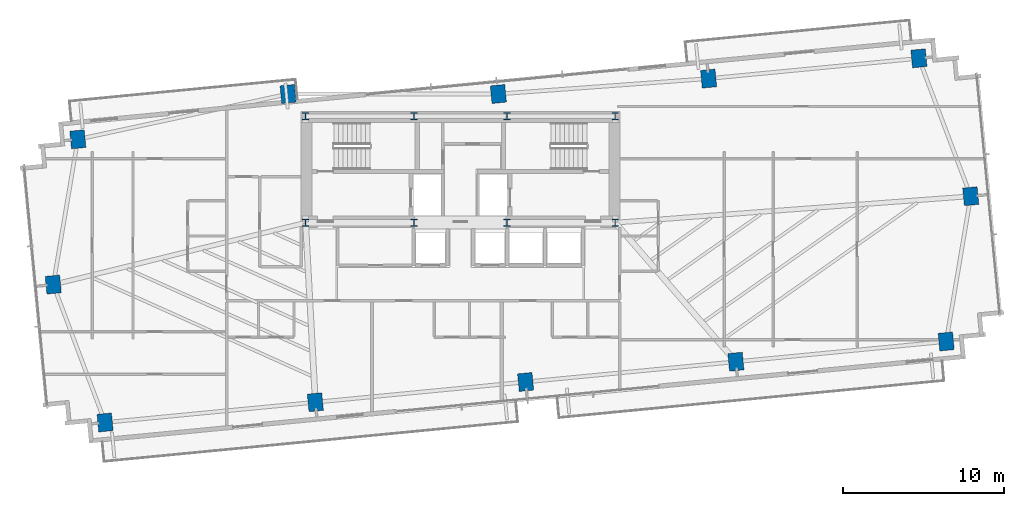
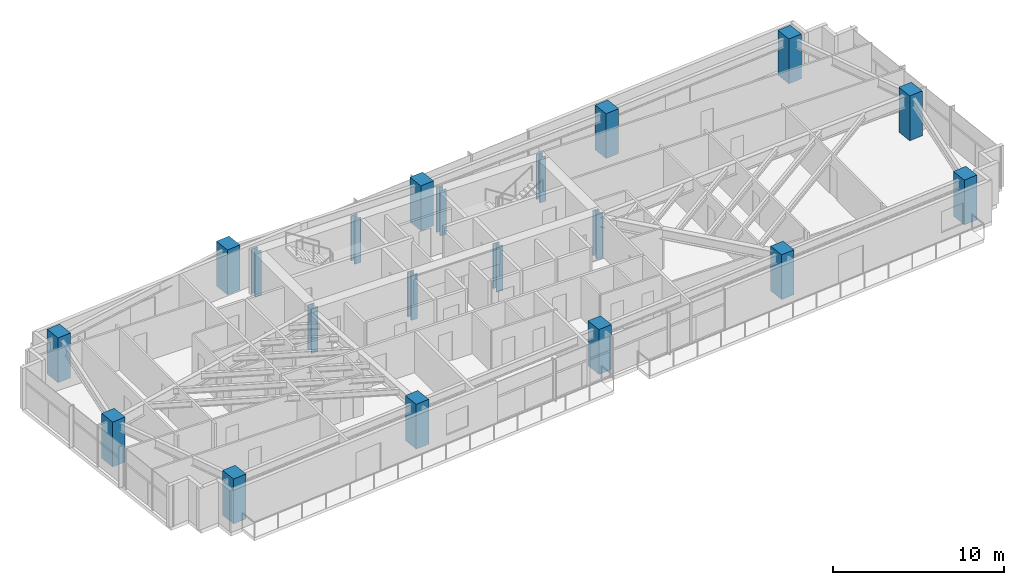
# One storey, part 1 of 25: 20 columns.
"""IFC4 building model written with IfcOpenShell, lengths in metres."""

from ifc_helpers import new_model, si_unit, direction, frame, origin, origin_2d, place, context, subcontext, project, spatial, rectangle, i_section, extrude, source, transform, mapped, material, material_profile, profile_set, type_object, type_shapes, element, save


model = new_model("IFC4")

# Units and contexts
model_context = context("Model", 3, precision=1e-05, world=origin(), true_north=direction((0.0, 1.0)))
body_context = subcontext(model_context, "Body", "Model", "MODEL_VIEW")
ifc_project = project(units=[si_unit("LENGTHUNIT", "METRE"), si_unit("AREAUNIT", "SQUARE_METRE"), si_unit("VOLUMEUNIT", "CUBIC_METRE"), si_unit("PLANEANGLEUNIT", "RADIAN"), si_unit("MASSUNIT", "GRAM", prefix="KILO")], contexts=[model_context])

# Site, building, storey
site_placement = place(None, origin())
site = spatial("IfcSite", under=ifc_project, at=site_placement, CompositionType="ELEMENT")
building_placement = place(site_placement, origin())
building = spatial("IfcBuilding", under=site, at=building_placement, Name="Astriad Promenade Condominiums", CompositionType="ELEMENT")
storey_placement = place(building_placement, frame((0.0, 0.0, 103.39990234375)))
storey = spatial("IfcBuildingStorey", under=building, at=storey_placement, Name="L29", CompositionType="ELEMENT", Elevation=103.39990234375)

# Columns
ifc_material_1 = material(Name="Steel ASTM A992 Grade 50", Category="steel")
ifc_material_profile_1 = material_profile(ifc_material_1, i_section(OverallWidth=0.427490234375, OverallDepth=0.483154296875, WebThickness=0.05126953125, FlangeThickness=0.08154296875, FilletRadius=0.017822265625, at=origin_2d()), Name="W14X455")
ifc_profile_set_1 = profile_set([ifc_material_profile_1], Name="Steel ASTM A992 Grade 50")
column_type_1 = type_object("IfcColumnType", Name="STEEL CORE PILASTER W14X455", PredefinedType="PILASTER", material=ifc_profile_set_1)
shared_shape_1 = source(origin(), body_context, "Body", "SweptSolid", [
    extrude(i_section(OverallWidth=0.427490234375, OverallDepth=0.483154296875, WebThickness=0.05126953125, FlangeThickness=0.08154296875, FilletRadius=0.017822265625, at=origin_2d()), origin(), (0.0, 0.0, 1.0), 3.19580078125),
])
type_shapes(column_type_1, [shared_shape_1])
for number, where, z_axis, x_axis, name in (
    (1, (26.39990234375, 17.39990234375, 0.002197265625), (0.0, 0.0, 1.0), (1.0, 0.0, 0.0), "Core Pilaster Column CP1 (L29)"),
    (2, (33.1201171875, 17.39990234375, 0.002197265625), (0.0, 0.0, 1.0), (1.0, 0.0, 0.0), "Core Pilaster Column CP2 (L29)"),
    (3, (38.8798828125, 17.39990234375, 0.002197265625), (0.0, 0.0, 1.0), (1.0, 0.0, 0.0), "Core Pilaster Column CP3 (L29)"),
    (4, (45.60009765625, 17.39990234375, 0.002197265625), (0.0, 0.0, 1.0), (1.0, 0.0, 0.0), "Core Pilaster Column CP4 (L29)"),
    (5, (26.39990234375, 24.0, 0.002197265625), (0.0, 0.0, 1.0), (1.0, 0.0, 0.0), "Core Pilaster Column CP5 (L29)"),
    (6, (33.1201171875, 24.0, 0.002197265625), (0.0, 0.0, 1.0), (1.0, 0.0, 0.0), "Core Pilaster Column CP6 (L29)"),
    (7, (38.8798828125, 24.0, 0.002197265625), (0.0, 0.0, 1.0), (1.0, 0.0, 0.0), "Core Pilaster Column CP7 (L29)"),
    (8, (45.60009765625, 24.0, 0.002197265625), (0.0, 0.0, 1.0), (1.0, 0.0, 0.0), "Core Pilaster Column CP8 (L29)"),
):
    element("IfcColumn", number, at=place(storey_placement, frame(where, z_axis=z_axis, x_axis=x_axis)), inside=storey, type_object=column_type_1, Name=name, PredefinedType="PILASTER", context=body_context, shape_type="MappedRepresentation", body=[
        mapped(shared_shape_1, transform((0.0, 0.0, 0.0), scale=1.0)),
    ])
ifc_material_2 = material(Name="Concrete C60/75", Category="concrete")
ifc_material_profile_2 = material_profile(ifc_material_2, rectangle(XDim=0.89990234375, YDim=1.10009765625, at=origin_2d()), Name="RC-COL-1100X900")
ifc_profile_set_2 = profile_set([ifc_material_profile_2], Name="Concrete C60/75")
column_type_2 = type_object("IfcColumnType", Name="CONCRETE TOWER COLUMN 1100X900", PredefinedType="COLUMN", material=ifc_profile_set_2)
shared_shape_2 = source(origin(), body_context, "Body", "SweptSolid", [
    extrude(rectangle(XDim=0.89990234375, YDim=1.10009765625, at=origin_2d()), origin(), (0.0, 0.0, 1.0), 3.19580078125),
])
type_shapes(column_type_2, [shared_shape_2])
for number, where, z_axis, x_axis, name in (
    (9, (13.966064453125, 5.009521484375, 0.002197265625), (0.0, 0.0, 1.0), (0.995396198367, 0.09584575252, 0.0), "Perimeter Column PC01 (L29)"),
    (10, (27.005615234375, 6.264892578125, 0.002197265625), (0.0, 0.0, 1.0), (0.995396198367, 0.09584575252, 0.0), "Perimeter Column PC02 (L29)"),
    (11, (40.04541015625, 7.5205078125, 0.002197265625), (0.0, 0.0, 1.0), (0.995396198367, 0.09584575252, 0.0), "Perimeter Column PC03 (L29)"),
    (12, (53.0849609375, 8.776123046875, 0.002197265625), (0.0, 0.0, 1.0), (0.995396198367, 0.09584575252, 0.0), "Perimeter Column PC04 (L29)"),
    (13, (66.124755859375, 10.03173828125, 0.002197265625), (0.0, 0.0, 1.0), (0.995396198367, 0.09584575252, 0.0), "Perimeter Column PC05 (L29)"),
    (14, (12.275390625, 22.568115234375, 0.002197265625), (0.0, 0.0, 1.0), (0.995396198367, 0.09584575252, 0.0), "Perimeter Column PC06 (L29)"),
    (15, (25.31494140625, 25.3798828125, 0.002197265625), (0.0, 0.0, 1.0), (0.995396198367, 0.09584575252, 0.0), "Perimeter Column PC07 (L29)"),
    (16, (38.3544921875, 25.3798828125, 0.002197265625), (0.0, 0.0, 1.0), (0.995396198367, 0.09584575252, 0.0), "Perimeter Column PC08 (L29)"),
    (17, (51.394287109375, 26.3349609375, 0.002197265625), (0.0, 0.0, 1.0), (0.995396198367, 0.09584575252, 0.0), "Perimeter Column PC09 (L29)"),
    (18, (64.43408203125, 27.590576171875, 0.002197265625), (0.0, 0.0, 1.0), (0.995396198367, 0.09584575252, 0.0), "Perimeter Column PC10 (L29)"),
    (19, (10.751708984375, 13.560791015625, 0.002197265625), (0.0, 0.0, 1.0), (0.995396198367, 0.09584575252, 0.0), "Perimeter Column PC11 (L29)"),
    (20, (67.6484375, 19.039306640625, 0.002197265625), (0.0, 0.0, 1.0), (0.995396198367, 0.09584575252, 0.0), "Perimeter Column PC12 (L29)"),
):
    element("IfcColumn", number, at=place(storey_placement, frame(where, z_axis=z_axis, x_axis=x_axis)), inside=storey, type_object=column_type_2, Name=name, PredefinedType="COLUMN", context=body_context, shape_type="MappedRepresentation", body=[
        mapped(shared_shape_2, transform((0.0, 0.0, 0.0), scale=1.0)),
    ])

save(model, "model.ifc")
